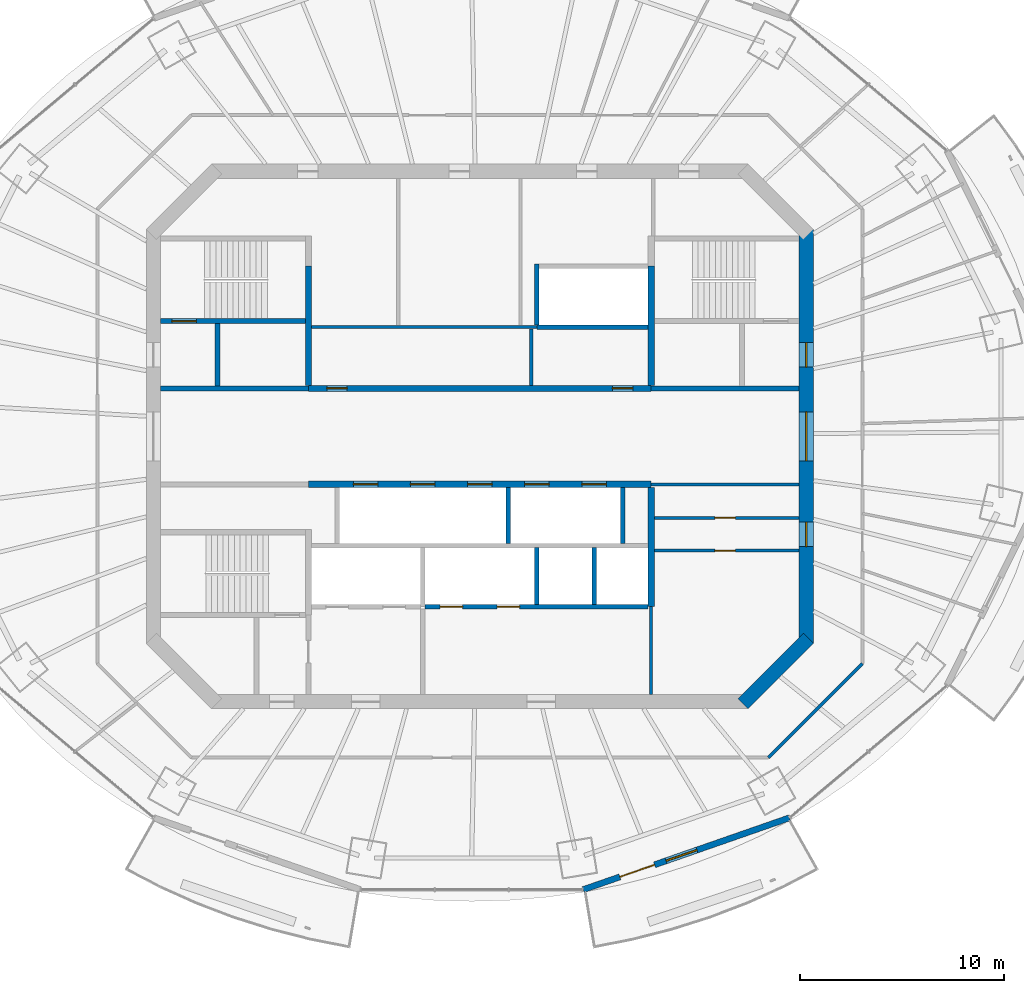
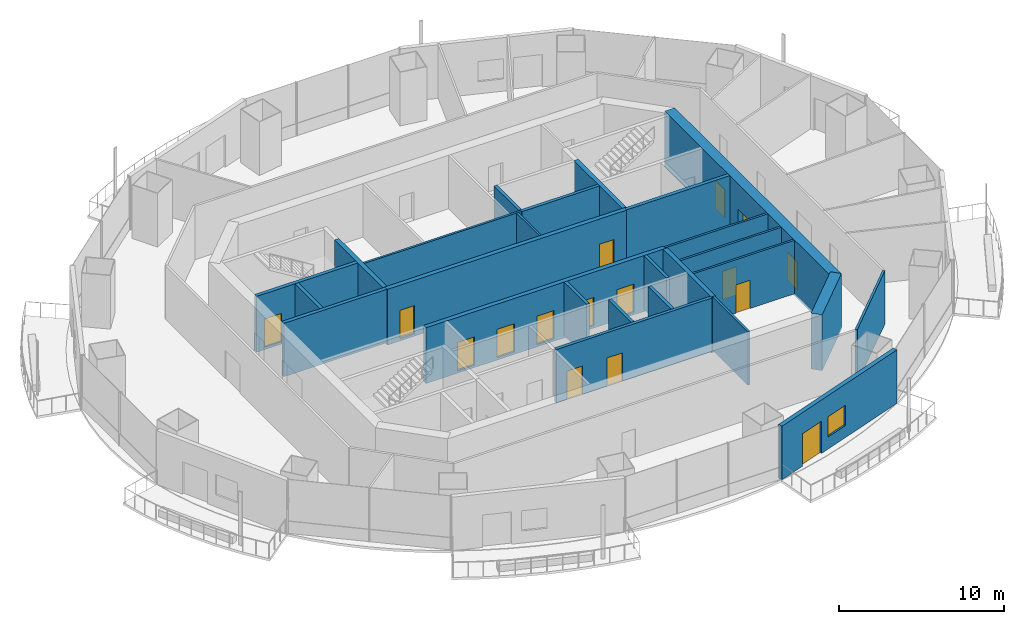
# One storey, part 9 of 16: 26 walls, 16 doors, 1 window, 17 openings.
"""IFC4 building model written with IfcOpenShell, lengths in metres."""

from ifc_helpers import new_model, si_unit, direction, frame, frame_2d, origin, place, context, subcontext, project, spatial, rectangle, extrude, material, layer, layer_set, type_object, element, fill, save


model = new_model("IFC4")

# Units and contexts
model_context = context("Model", 3, precision=1e-05, world=origin(), true_north=direction((0.0, 1.0)))
body_context = subcontext(model_context, "Body", "Model", "MODEL_VIEW")
ifc_project = project(units=[si_unit("LENGTHUNIT", "METRE"), si_unit("AREAUNIT", "SQUARE_METRE"), si_unit("VOLUMEUNIT", "CUBIC_METRE"), si_unit("PLANEANGLEUNIT", "RADIAN"), si_unit("MASSUNIT", "GRAM", prefix="KILO")], contexts=[model_context])

# Site, building, storey
site_placement = place(None, origin())
site = spatial("IfcSite", under=ifc_project, at=site_placement, CompositionType="ELEMENT")
building_placement = place(site_placement, origin())
building = spatial("IfcBuilding", under=site, at=building_placement, Name="Marenthal Gate Tower", CompositionType="ELEMENT")
storey_placement = place(building_placement, frame((0.0, 0.0, 317.699951171875)))
storey = spatial("IfcBuildingStorey", under=building, at=storey_placement, Name="L71", CompositionType="ELEMENT", Elevation=317.699951171875)

# Wall
ifc_material_1 = material(Name="Concrete 60 MPa", Category="concrete")
ifc_layer_1 = layer(ifc_material_1, 0.699951171875)
ifc_layer_set_1 = layer_set([ifc_layer_1], Name="Core shear wall 700")
wall_type_1 = type_object("IfcWallType", Name="Core shear wall 700", PredefinedType="SHEAR", material=ifc_layer_set_1)
wall_1_placement = place(storey_placement, frame((12.8974609375, -13.1025390625, -0.179931640625), z_axis=(0.0, 0.0, 1.0), x_axis=(0.707106781187, 0.707106781187, 0.0)))
element("IfcWall", 1, at=wall_1_placement, inside=storey, type_object=wall_type_1, Name="Core wall 01", PredefinedType="SHEAR", context=body_context, shape_type="SweptSolid", body=[
    extrude(rectangle(XDim=4.53271484375, YDim=0.699951171875, at=frame_2d((2.266357421875, 0.0))), origin(), (0.0, 0.0, 1.0), 4.14990234375),
])

# Wall, openings, doors
wall_2_placement = place(storey_placement, frame((16.0, -10.14501953125, -0.179931640625), z_axis=(0.0, 0.0, 1.0), x_axis=(0.0, 1.0, 0.0)))
wall_2 = element("IfcWall", 2, at=wall_2_placement, inside=storey, type_object=wall_type_1, Name="Core wall 02", PredefinedType="SHEAR", context=body_context, shape_type="SweptSolid", body=[
    extrude(rectangle(XDim=20.2900390625, YDim=0.699951171875, at=frame_2d((10.14501953125, 0.0))), origin(), (0.0, 0.0, 1.0), 4.14990234375),
])
opening_1_placement = place(wall_2_placement, frame((8.945068359375, 0.0, 0.179931640625)))
opening_1 = element("IfcOpeningElement", 3, at=opening_1_placement, cuts=wall_2, Name="Opening D003.02", PredefinedType="OPENING", context=body_context, shape_type="SweptSolid", body=[
    extrude(rectangle(XDim=2.39990234375, YDim=2.10009765625, at=frame_2d((1.199951171875, 1.050048828125))), frame((0.0, 0.35986328125, 0.0), z_axis=(0.0, -1.0, 0.0), x_axis=(1.0, 0.0, 0.0)), (0.0, 0.0, 1.0), 0.719970703125),
])
opening_2_placement = place(wall_2_placement, frame((13.544921875, 0.0, 0.179931640625)))
opening_2 = element("IfcOpeningElement", 4, at=opening_2_placement, cuts=wall_2, Name="Opening D001.05", PredefinedType="OPENING", context=body_context, shape_type="SweptSolid", body=[
    extrude(rectangle(XDim=1.199951171875, YDim=2.10009765625, at=frame_2d((0.60009765625, 1.050048828125))), frame((0.0, 0.35986328125, 0.0), z_axis=(0.0, -1.0, 0.0), x_axis=(1.0, 0.0, 0.0)), (0.0, 0.0, 1.0), 0.719970703125),
])
opening_3_placement = place(wall_2_placement, frame((4.7451171875, 0.0, 0.179931640625)))
opening_3 = element("IfcOpeningElement", 5, at=opening_3_placement, cuts=wall_2, Name="Opening D006.01", PredefinedType="OPENING", context=body_context, shape_type="SweptSolid", body=[
    extrude(rectangle(XDim=1.199951171875, YDim=2.10009765625, at=frame_2d((0.60009765625, 1.050048828125))), frame((0.0, 0.35986328125, 0.0), z_axis=(0.0, -1.0, 0.0), x_axis=(1.0, 0.0, 0.0)), (0.0, 0.0, 1.0), 0.719970703125),
])
ifc_material_2 = material(Name="Steel fire door", Category="steel")
door_type_1 = type_object("IfcDoorType", Name="Double fire door FD 45 2400 x 2100", OperationType="DOUBLE_DOOR_SINGLE_SWING", PredefinedType="DOOR", material=ifc_material_2)
door_1_placement = place(opening_1_placement, origin())
door_1 = element("IfcDoor", 6, at=door_1_placement, inside=storey, type_object=door_type_1, Name="Door D003.02", OperationType="DOUBLE_DOOR_SINGLE_SWING", OverallHeight=2.10009765625, OverallWidth=2.39990234375, PredefinedType="DOOR", context=body_context, shape_type="SweptSolid", body=[
    extrude(rectangle(XDim=2.39990234375, YDim=2.10009765625, at=frame_2d((1.199951171875, 1.050048828125))), frame((0.0, 0.02490234375, 0.0), z_axis=(0.0, -1.0, 0.0), x_axis=(1.0, 0.0, 0.0)), (0.0, 0.0, 1.0), 0.050048828125),
])
fill(opening_1, door_1)
ifc_material_3 = material(Name="Steel fire door", Category="steel")
door_type_2 = type_object("IfcDoorType", Name="Fire door FD 45 1200 x 2100", OperationType="NOTDEFINED", PredefinedType="DOOR", material=ifc_material_3)
door_2_placement = place(opening_3_placement, origin())
door_2 = element("IfcDoor", 7, at=door_2_placement, inside=storey, type_object=door_type_2, Name="Door D006.01", OperationType="SINGLE_SWING_RIGHT", OverallHeight=2.10009765625, OverallWidth=1.199951171875, PredefinedType="DOOR", context=body_context, shape_type="SweptSolid", body=[
    extrude(rectangle(XDim=1.199951171875, YDim=2.10009765625, at=frame_2d((0.60009765625, 1.050048828125))), frame((0.0, 0.02490234375, 0.0), z_axis=(0.0, -1.0, 0.0), x_axis=(1.0, 0.0, 0.0)), (0.0, 0.0, 1.0), 0.050048828125),
])
fill(opening_3, door_2)
ifc_material_4 = material(Name="Steel fire door", Category="steel")
door_type_3 = type_object("IfcDoorType", Name="Fire door FD 90 1200 x 2100", OperationType="NOTDEFINED", PredefinedType="DOOR", material=ifc_material_4)
door_3_placement = place(opening_2_placement, origin())
door_3 = element("IfcDoor", 8, at=door_3_placement, inside=storey, type_object=door_type_3, Name="Door D001.05", OperationType="SINGLE_SWING_RIGHT", OverallHeight=2.10009765625, OverallWidth=1.199951171875, PredefinedType="DOOR", context=body_context, shape_type="SweptSolid", body=[
    extrude(rectangle(XDim=1.199951171875, YDim=2.10009765625, at=frame_2d((0.60009765625, 1.050048828125))), frame((0.0, 0.02490234375, 0.0), z_axis=(0.0, -1.0, 0.0), x_axis=(1.0, 0.0, 0.0)), (0.0, 0.0, 1.0), 0.050048828125),
])
fill(opening_2, door_3)

ifc_material_5 = material(Name="Concrete 50 MPa", Category="concrete")
ifc_layer_2 = layer(ifc_material_5, 0.300048828125)
ifc_layer_set_2 = layer_set([ifc_layer_2], Name="Hoistway shear wall 300")
wall_type_2 = type_object("IfcWallType", Name="Hoistway shear wall 300", PredefinedType="SHEAR", material=ifc_layer_set_2)
wall_3_placement = place(storey_placement, frame((-8.39990234375, -2.35009765625, -0.179931640625), z_axis=(0.0, 0.0, 1.0), x_axis=(1.0, 0.0, 0.0)))
wall_3 = element("IfcWall", 9, at=wall_3_placement, inside=storey, type_object=wall_type_2, Name="Hoistway wall 17", PredefinedType="SHEAR", context=body_context, shape_type="SweptSolid", body=[
    extrude(rectangle(XDim=16.7998046875, YDim=0.300048828125, at=frame_2d((8.39990234375, 0.0))), origin(), (0.0, 0.0, 1.0), 4.14990234375),
])
opening_4_placement = place(wall_3_placement, frame((2.199951171875, 0.0, 0.179931640625)))
opening_4 = element("IfcOpeningElement", 10, at=opening_4_placement, cuts=wall_3, Name="Opening LD-HP1", PredefinedType="OPENING", context=body_context, shape_type="SweptSolid", body=[
    extrude(rectangle(XDim=1.199951171875, YDim=2.10009765625, at=frame_2d((0.60009765625, 1.050048828125))), frame((0.0, 0.16015625, 0.0), z_axis=(0.0, -1.0, 0.0), x_axis=(1.0, 0.0, 0.0)), (0.0, 0.0, 1.0), 0.320068359375),
])
opening_5_placement = place(wall_3_placement, frame((5.0, 0.0, 0.179931640625)))
opening_5 = element("IfcOpeningElement", 11, at=opening_5_placement, cuts=wall_3, Name="Opening LD-HP2", PredefinedType="OPENING", context=body_context, shape_type="SweptSolid", body=[
    extrude(rectangle(XDim=1.199951171875, YDim=2.10009765625, at=frame_2d((0.60009765625, 1.050048828125))), frame((0.0, 0.16015625, 0.0), z_axis=(0.0, -1.0, 0.0), x_axis=(1.0, 0.0, 0.0)), (0.0, 0.0, 1.0), 0.320068359375),
])
opening_6_placement = place(wall_3_placement, frame((7.800048828125, 0.0, 0.179931640625)))
opening_6 = element("IfcOpeningElement", 12, at=opening_6_placement, cuts=wall_3, Name="Opening LD-HP3", PredefinedType="OPENING", context=body_context, shape_type="SweptSolid", body=[
    extrude(rectangle(XDim=1.199951171875, YDim=2.10009765625, at=frame_2d((0.60009765625, 1.050048828125))), frame((0.0, 0.16015625, 0.0), z_axis=(0.0, -1.0, 0.0), x_axis=(1.0, 0.0, 0.0)), (0.0, 0.0, 1.0), 0.320068359375),
])
opening_7_placement = place(wall_3_placement, frame((10.60009765625, 0.0, 0.179931640625)))
opening_7 = element("IfcOpeningElement", 13, at=opening_7_placement, cuts=wall_3, Name="Opening LD-HP4", PredefinedType="OPENING", context=body_context, shape_type="SweptSolid", body=[
    extrude(rectangle(XDim=1.199951171875, YDim=2.10009765625, at=frame_2d((0.60009765625, 1.050048828125))), frame((0.0, 0.16015625, 0.0), z_axis=(0.0, -1.0, 0.0), x_axis=(1.0, 0.0, 0.0)), (0.0, 0.0, 1.0), 0.320068359375),
])
opening_8_placement = place(wall_3_placement, frame((13.39990234375, 0.0, 0.179931640625)))
opening_8 = element("IfcOpeningElement", 14, at=opening_8_placement, cuts=wall_3, Name="Opening LD-HP5", PredefinedType="OPENING", context=body_context, shape_type="SweptSolid", body=[
    extrude(rectangle(XDim=1.199951171875, YDim=2.10009765625, at=frame_2d((0.60009765625, 1.050048828125))), frame((0.0, 0.16015625, 0.0), z_axis=(0.0, -1.0, 0.0), x_axis=(1.0, 0.0, 0.0)), (0.0, 0.0, 1.0), 0.320068359375),
])
ifc_material_6 = material(Name="Stainless steel sliding door", Category="steel")
door_type_4 = type_object("IfcDoorType", Name="Lift landing door FD 90 1200 x 2100", OperationType="DOUBLE_DOOR_SLIDING", PredefinedType="DOOR", material=ifc_material_6)
door_4_placement = place(opening_4_placement, origin())
door_4 = element("IfcDoor", 15, at=door_4_placement, inside=storey, type_object=door_type_4, Name="Lift landing door HP1", OperationType="DOUBLE_DOOR_SLIDING", OverallHeight=2.10009765625, OverallWidth=1.199951171875, PredefinedType="DOOR", context=body_context, shape_type="SweptSolid", body=[
    extrude(rectangle(XDim=1.199951171875, YDim=2.10009765625, at=frame_2d((0.60009765625, 1.050048828125))), frame((0.0, 0.02490234375, 0.0), z_axis=(0.0, -1.0, 0.0), x_axis=(1.0, 0.0, 0.0)), (0.0, 0.0, 1.0), 0.050048828125),
])
fill(opening_4, door_4)
door_5_placement = place(opening_5_placement, origin())
door_5 = element("IfcDoor", 16, at=door_5_placement, inside=storey, type_object=door_type_4, Name="Lift landing door HP2", OperationType="DOUBLE_DOOR_SLIDING", OverallHeight=2.10009765625, OverallWidth=1.199951171875, PredefinedType="DOOR", context=body_context, shape_type="SweptSolid", body=[
    extrude(rectangle(XDim=1.199951171875, YDim=2.10009765625, at=frame_2d((0.60009765625, 1.050048828125))), frame((0.0, 0.02490234375, 0.0), z_axis=(0.0, -1.0, 0.0), x_axis=(1.0, 0.0, 0.0)), (0.0, 0.0, 1.0), 0.050048828125),
])
fill(opening_5, door_5)
door_6_placement = place(opening_6_placement, origin())
door_6 = element("IfcDoor", 17, at=door_6_placement, inside=storey, type_object=door_type_4, Name="Lift landing door HP3", OperationType="DOUBLE_DOOR_SLIDING", OverallHeight=2.10009765625, OverallWidth=1.199951171875, PredefinedType="DOOR", context=body_context, shape_type="SweptSolid", body=[
    extrude(rectangle(XDim=1.199951171875, YDim=2.10009765625, at=frame_2d((0.60009765625, 1.050048828125))), frame((0.0, 0.02490234375, 0.0), z_axis=(0.0, -1.0, 0.0), x_axis=(1.0, 0.0, 0.0)), (0.0, 0.0, 1.0), 0.050048828125),
])
fill(opening_6, door_6)
door_7_placement = place(opening_7_placement, origin())
door_7 = element("IfcDoor", 18, at=door_7_placement, inside=storey, type_object=door_type_4, Name="Lift landing door HP4", OperationType="DOUBLE_DOOR_SLIDING", OverallHeight=2.10009765625, OverallWidth=1.199951171875, PredefinedType="DOOR", context=body_context, shape_type="SweptSolid", body=[
    extrude(rectangle(XDim=1.199951171875, YDim=2.10009765625, at=frame_2d((0.60009765625, 1.050048828125))), frame((0.0, 0.02490234375, 0.0), z_axis=(0.0, -1.0, 0.0), x_axis=(1.0, 0.0, 0.0)), (0.0, 0.0, 1.0), 0.050048828125),
])
fill(opening_7, door_7)
door_8_placement = place(opening_8_placement, origin())
door_8 = element("IfcDoor", 19, at=door_8_placement, inside=storey, type_object=door_type_4, Name="Lift landing door HP5", OperationType="DOUBLE_DOOR_SLIDING", OverallHeight=2.10009765625, OverallWidth=1.199951171875, PredefinedType="DOOR", context=body_context, shape_type="SweptSolid", body=[
    extrude(rectangle(XDim=1.199951171875, YDim=2.10009765625, at=frame_2d((0.60009765625, 1.050048828125))), frame((0.0, 0.02490234375, 0.0), z_axis=(0.0, -1.0, 0.0), x_axis=(1.0, 0.0, 0.0)), (0.0, 0.0, 1.0), 0.050048828125),
])
fill(opening_8, door_8)

wall_4_placement = place(storey_placement, frame((-8.39990234375, 2.35009765625, -0.179931640625), z_axis=(0.0, 0.0, 1.0), x_axis=(1.0, 0.0, 0.0)))
wall_4 = element("IfcWall", 20, at=wall_4_placement, inside=storey, type_object=wall_type_2, Name="Hoistway wall 20", PredefinedType="SHEAR", context=body_context, shape_type="SweptSolid", body=[
    extrude(rectangle(XDim=16.7998046875, YDim=0.300048828125, at=frame_2d((8.39990234375, 0.0))), origin(), (0.0, 0.0, 1.0), 4.14990234375),
])
opening_9_placement = place(wall_4_placement, frame((0.89990234375, 0.0, 0.179931640625)))
opening_9 = element("IfcOpeningElement", 21, at=opening_9_placement, cuts=wall_4, Name="Opening D005.01", PredefinedType="OPENING", context=body_context, shape_type="SweptSolid", body=[
    extrude(rectangle(XDim=1.0, YDim=2.10009765625, at=frame_2d((0.5, 1.050048828125))), frame((0.0, 0.16015625, 0.0), z_axis=(0.0, -1.0, 0.0), x_axis=(1.0, 0.0, 0.0)), (0.0, 0.0, 1.0), 0.320068359375),
])
opening_10_placement = place(wall_4_placement, frame((14.89990234375, 0.0, 0.179931640625)))
opening_10 = element("IfcOpeningElement", 22, at=opening_10_placement, cuts=wall_4, Name="Opening D005.02", PredefinedType="OPENING", context=body_context, shape_type="SweptSolid", body=[
    extrude(rectangle(XDim=1.0, YDim=2.10009765625, at=frame_2d((0.5, 1.050048828125))), frame((0.0, 0.16015625, 0.0), z_axis=(0.0, -1.0, 0.0), x_axis=(1.0, 0.0, 0.0)), (0.0, 0.0, 1.0), 0.320068359375),
])
ifc_material_7 = material(Name="Steel fire door", Category="steel")
door_type_5 = type_object("IfcDoorType", Name="Fire door FD 45 1000 x 2100", OperationType="NOTDEFINED", PredefinedType="DOOR", material=ifc_material_7)
door_9_placement = place(opening_9_placement, origin())
door_9 = element("IfcDoor", 23, at=door_9_placement, inside=storey, type_object=door_type_5, Name="Door D005.01", OperationType="SINGLE_SWING_RIGHT", OverallHeight=2.10009765625, OverallWidth=1.0, PredefinedType="DOOR", context=body_context, shape_type="SweptSolid", body=[
    extrude(rectangle(XDim=1.0, YDim=2.10009765625, at=frame_2d((0.5, 1.050048828125))), frame((0.0, 0.02490234375, 0.0), z_axis=(0.0, -1.0, 0.0), x_axis=(1.0, 0.0, 0.0)), (0.0, 0.0, 1.0), 0.050048828125),
])
fill(opening_9, door_9)
door_10_placement = place(opening_10_placement, origin())
door_10 = element("IfcDoor", 24, at=door_10_placement, inside=storey, type_object=door_type_5, Name="Door D005.02", OperationType="SINGLE_SWING_RIGHT", OverallHeight=2.10009765625, OverallWidth=1.0, PredefinedType="DOOR", context=body_context, shape_type="SweptSolid", body=[
    extrude(rectangle(XDim=1.0, YDim=2.10009765625, at=frame_2d((0.5, 1.050048828125))), frame((0.0, 0.02490234375, 0.0), z_axis=(0.0, -1.0, 0.0), x_axis=(1.0, 0.0, 0.0)), (0.0, 0.0, 1.0), 0.050048828125),
])
fill(opening_10, door_10)

# Walls
for number, where, z_axis, x_axis, name in (
    (25, (-8.39990234375, 2.5, -0.179931640625), (0.0, 0.0, 1.0), (0.0, 1.0, 0.0), "Hoistway wall 33"),
    (26, (8.39990234375, -8.35009765625, -0.179931640625), (0.0, 0.0, 1.0), (0.0, 1.0, 0.0), "Hoistway wall 47"),
    (27, (8.39990234375, 2.5, -0.179931640625), (0.0, 0.0, 1.0), (0.0, 1.0, 0.0), "Hoistway wall 48"),
):
    element("IfcWall", number, at=place(storey_placement, frame(where, z_axis=z_axis, x_axis=x_axis)), inside=storey, type_object=wall_type_2, Name=name, PredefinedType="SHEAR", context=body_context, shape_type="SweptSolid", body=[
        extrude(rectangle(XDim=5.85009765625, YDim=0.300048828125, at=frame_2d((2.925048828125, 0.0))), origin(), (0.0, 0.0, 1.0), 4.14990234375),
    ])

# Wall, openings, doors
ifc_material_8 = material(Name="Concrete 40 MPa", Category="concrete")
ifc_layer_3 = layer(ifc_material_8, 0.219970703125)
ifc_layer_set_3 = layer_set([ifc_layer_3], Name="Hoistway wall 220")
wall_type_3 = type_object("IfcWallType", Name="Hoistway wall 220", PredefinedType="STANDARD", material=ifc_layer_set_3)
wall_5_placement = place(storey_placement, frame((-2.68994140625, -8.35009765625, 0.0), z_axis=(0.0, 0.0, 1.0), x_axis=(1.0, 0.0, 0.0)))
wall_5 = element("IfcWall", 28, at=wall_5_placement, inside=storey, type_object=wall_type_3, Name="Hoistway wall 11", PredefinedType="STANDARD", context=body_context, shape_type="SweptSolid", body=[
    extrude(rectangle(XDim=10.93994140625, YDim=0.219970703125, at=frame_2d((5.469970703125, 0.0))), origin(), (0.0, 0.0, 1.0), 3.969970703125),
])
opening_11_placement = place(wall_5_placement, frame((0.739990234375, 0.0, 0.0)))
opening_11 = element("IfcOpeningElement", 29, at=opening_11_placement, cuts=wall_5, Name="Opening LD-SV1", PredefinedType="OPENING", context=body_context, shape_type="SweptSolid", body=[
    extrude(rectangle(XDim=1.10009765625, YDim=2.10009765625, at=frame_2d((0.550048828125, 1.050048828125))), frame((0.0, 0.1201171875, 0.0), z_axis=(0.0, -1.0, 0.0), x_axis=(1.0, 0.0, 0.0)), (0.0, 0.0, 1.0), 0.239990234375),
])
opening_12_placement = place(wall_5_placement, frame((3.5400390625, 0.0, 0.0)))
opening_12 = element("IfcOpeningElement", 30, at=opening_12_placement, cuts=wall_5, Name="Opening LD-SV2", PredefinedType="OPENING", context=body_context, shape_type="SweptSolid", body=[
    extrude(rectangle(XDim=1.10009765625, YDim=2.10009765625, at=frame_2d((0.550048828125, 1.050048828125))), frame((0.0, 0.1201171875, 0.0), z_axis=(0.0, -1.0, 0.0), x_axis=(1.0, 0.0, 0.0)), (0.0, 0.0, 1.0), 0.239990234375),
])
ifc_material_9 = material(Name="Stainless steel sliding door", Category="steel")
door_type_6 = type_object("IfcDoorType", Name="Lift landing door FD 90 1100 x 2100", OperationType="DOUBLE_DOOR_SLIDING", PredefinedType="DOOR", material=ifc_material_9)
door_11_placement = place(opening_11_placement, origin())
door_11 = element("IfcDoor", 31, at=door_11_placement, inside=storey, type_object=door_type_6, Name="Lift landing door SV1", OperationType="DOUBLE_DOOR_SLIDING", OverallHeight=2.10009765625, OverallWidth=1.10009765625, PredefinedType="DOOR", context=body_context, shape_type="SweptSolid", body=[
    extrude(rectangle(XDim=1.10009765625, YDim=2.10009765625, at=frame_2d((0.550048828125, 1.050048828125))), frame((0.0, 0.02490234375, 0.0), z_axis=(0.0, -1.0, 0.0), x_axis=(1.0, 0.0, 0.0)), (0.0, 0.0, 1.0), 0.050048828125),
])
fill(opening_11, door_11)
door_12_placement = place(opening_12_placement, origin())
door_12 = element("IfcDoor", 32, at=door_12_placement, inside=storey, type_object=door_type_6, Name="Lift landing door SV2", OperationType="DOUBLE_DOOR_SLIDING", OverallHeight=2.10009765625, OverallWidth=1.10009765625, PredefinedType="DOOR", context=body_context, shape_type="SweptSolid", body=[
    extrude(rectangle(XDim=1.10009765625, YDim=2.10009765625, at=frame_2d((0.550048828125, 1.050048828125))), frame((0.0, 0.02490234375, 0.0), z_axis=(0.0, -1.0, 0.0), x_axis=(1.0, 0.0, 0.0)), (0.0, 0.0, 1.0), 0.050048828125),
])
fill(opening_12, door_12)

# Walls
wall_6_placement = place(storey_placement, frame((2.800048828125, 5.35009765625, 0.0), z_axis=(0.0, 0.0, 1.0), x_axis=(1.0, 0.0, 0.0)))
element("IfcWall", 33, at=wall_6_placement, inside=storey, type_object=wall_type_3, Name="Hoistway wall 23", PredefinedType="STANDARD", context=body_context, shape_type="SweptSolid", body=[
    extrude(rectangle(XDim=5.449951171875, YDim=0.219970703125, at=frame_2d((2.72509765625, 0.0))), origin(), (0.0, 0.0, 1.0), 3.969970703125),
])
wall_7_placement = place(storey_placement, frame((1.39990234375, -5.239990234375, 0.0), z_axis=(0.0, 0.0, 1.0), x_axis=(0.0, 1.0, 0.0)))
element("IfcWall", 34, at=wall_7_placement, inside=storey, type_object=wall_type_3, Name="Hoistway wall 39", PredefinedType="STANDARD", context=body_context, shape_type="SweptSolid", body=[
    extrude(rectangle(XDim=2.739990234375, YDim=0.219970703125, at=frame_2d((1.3701171875, 0.0))), origin(), (0.0, 0.0, 1.0), 3.969970703125),
])
wall_8_placement = place(storey_placement, frame((2.800048828125, -8.239990234375, 0.0), z_axis=(0.0, 0.0, 1.0), x_axis=(0.0, 1.0, 0.0)))
element("IfcWall", 35, at=wall_8_placement, inside=storey, type_object=wall_type_3, Name="Hoistway wall 42", PredefinedType="STANDARD", context=body_context, shape_type="SweptSolid", body=[
    extrude(rectangle(XDim=2.780029296875, YDim=0.219970703125, at=frame_2d((1.39013671875, 0.0))), origin(), (0.0, 0.0, 1.0), 3.969970703125),
])
wall_9_placement = place(storey_placement, frame((2.800048828125, 5.4599609375, 0.0), z_axis=(0.0, 0.0, 1.0), x_axis=(0.0, 1.0, 0.0)))
element("IfcWall", 36, at=wall_9_placement, inside=storey, type_object=wall_type_3, Name="Hoistway wall 43", PredefinedType="STANDARD", context=body_context, shape_type="SweptSolid", body=[
    extrude(rectangle(XDim=3.0, YDim=0.219970703125, at=frame_2d((1.5, 0.0))), origin(), (0.0, 0.0, 1.0), 3.969970703125),
])
wall_10_placement = place(storey_placement, frame((5.60009765625, -8.239990234375, 0.0), z_axis=(0.0, 0.0, 1.0), x_axis=(0.0, 1.0, 0.0)))
element("IfcWall", 37, at=wall_10_placement, inside=storey, type_object=wall_type_3, Name="Hoistway wall 44", PredefinedType="STANDARD", context=body_context, shape_type="SweptSolid", body=[
    extrude(rectangle(XDim=2.780029296875, YDim=0.219970703125, at=frame_2d((1.39013671875, 0.0))), origin(), (0.0, 0.0, 1.0), 3.969970703125),
])
wall_11_placement = place(storey_placement, frame((7.0, -5.239990234375, 0.0), z_axis=(0.0, 0.0, 1.0), x_axis=(0.0, 1.0, 0.0)))
element("IfcWall", 38, at=wall_11_placement, inside=storey, type_object=wall_type_3, Name="Hoistway wall 45", PredefinedType="STANDARD", context=body_context, shape_type="SweptSolid", body=[
    extrude(rectangle(XDim=2.739990234375, YDim=0.219970703125, at=frame_2d((1.3701171875, 0.0))), origin(), (0.0, 0.0, 1.0), 3.969970703125),
])

# Wall, opening, door
ifc_material_10 = material(Name="Gypsum board on steel studs", Category="steel")
ifc_layer_4 = layer(ifc_material_10, 0.14990234375)
ifc_layer_set_4 = layer_set([ifc_layer_4], Name="Partition 150")
wall_type_4 = type_object("IfcWallType", Name="Partition 150", PredefinedType="PARTITIONING", material=ifc_layer_set_4)
wall_12_placement = place(storey_placement, frame((8.550048828125, -5.60009765625, 0.0), z_axis=(0.0, 0.0, 1.0), x_axis=(1.0, 0.0, 0.0)))
wall_12 = element("IfcWall", 39, at=wall_12_placement, inside=storey, type_object=wall_type_4, Name="Partition wall 12", PredefinedType="PARTITIONING", context=body_context, shape_type="SweptSolid", body=[
    extrude(rectangle(XDim=7.099853515625, YDim=0.14990234375, at=frame_2d((3.5498046875, 0.0))), origin(), (0.0, 0.0, 1.0), 3.969970703125),
])
opening_13_placement = place(wall_12_placement, frame((2.97509765625, 0.0, 0.0)))
opening_13 = element("IfcOpeningElement", 40, at=opening_13_placement, cuts=wall_12, Name="Opening D005.08", PredefinedType="OPENING", context=body_context, shape_type="SweptSolid", body=[
    extrude(rectangle(XDim=1.0, YDim=2.10009765625, at=frame_2d((0.5, 1.050048828125))), frame((0.0, 0.0849609375, 0.0), z_axis=(0.0, -1.0, 0.0), x_axis=(1.0, 0.0, 0.0)), (0.0, 0.0, 1.0), 0.169921875),
])
door_13_placement = place(opening_13_placement, frame((1.0, 0.0, 0.0), z_axis=(0.0, 0.0, 1.0), x_axis=(-1.0, 0.0, 0.0)))
door_13 = element("IfcDoor", 41, at=door_13_placement, inside=storey, type_object=door_type_5, Name="Door D005.08", OperationType="SINGLE_SWING_LEFT", OverallHeight=2.10009765625, OverallWidth=1.0, PredefinedType="DOOR", context=body_context, shape_type="SweptSolid", body=[
    extrude(rectangle(XDim=1.0, YDim=2.10009765625, at=frame_2d((0.5, 1.050048828125))), frame((0.0, 0.02490234375, 0.0), z_axis=(0.0, -1.0, 0.0), x_axis=(1.0, 0.0, 0.0)), (0.0, 0.0, 1.0), 0.050048828125),
])
fill(opening_13, door_13)

wall_13_placement = place(storey_placement, frame((8.550048828125, -4.0, 0.0), z_axis=(0.0, 0.0, 1.0), x_axis=(1.0, 0.0, 0.0)))
wall_13 = element("IfcWall", 42, at=wall_13_placement, inside=storey, type_object=wall_type_4, Name="Partition wall 15", PredefinedType="PARTITIONING", context=body_context, shape_type="SweptSolid", body=[
    extrude(rectangle(XDim=7.099853515625, YDim=0.14990234375, at=frame_2d((3.5498046875, 0.0))), origin(), (0.0, 0.0, 1.0), 3.969970703125),
])
opening_14_placement = place(wall_13_placement, frame((2.97509765625, 0.0, 0.0)))
opening_14 = element("IfcOpeningElement", 43, at=opening_14_placement, cuts=wall_13, Name="Opening D005.07", PredefinedType="OPENING", context=body_context, shape_type="SweptSolid", body=[
    extrude(rectangle(XDim=1.0, YDim=2.10009765625, at=frame_2d((0.5, 1.050048828125))), frame((0.0, 0.0849609375, 0.0), z_axis=(0.0, -1.0, 0.0), x_axis=(1.0, 0.0, 0.0)), (0.0, 0.0, 1.0), 0.169921875),
])
door_14_placement = place(opening_14_placement, origin())
door_14 = element("IfcDoor", 44, at=door_14_placement, inside=storey, type_object=door_type_5, Name="Door D005.07", OperationType="SINGLE_SWING_RIGHT", OverallHeight=2.10009765625, OverallWidth=1.0, PredefinedType="DOOR", context=body_context, shape_type="SweptSolid", body=[
    extrude(rectangle(XDim=1.0, YDim=2.10009765625, at=frame_2d((0.5, 1.050048828125))), frame((0.0, 0.02490234375, 0.0), z_axis=(0.0, -1.0, 0.0), x_axis=(1.0, 0.0, 0.0)), (0.0, 0.0, 1.0), 0.050048828125),
])
fill(opening_14, door_14)

# Walls
wall_14_placement = place(storey_placement, frame((8.39990234375, -2.35009765625, 0.0), z_axis=(0.0, 0.0, 1.0), x_axis=(1.0, 0.0, 0.0)))
element("IfcWall", 45, at=wall_14_placement, inside=storey, type_object=wall_type_4, Name="Partition wall 18", PredefinedType="PARTITIONING", context=body_context, shape_type="SweptSolid", body=[
    extrude(rectangle(XDim=7.25, YDim=0.14990234375, at=frame_2d((3.625, 0.0))), origin(), (0.0, 0.0, 1.0), 3.969970703125),
])
wall_15_placement = place(storey_placement, frame((-8.25, 5.35009765625, 0.0), z_axis=(0.0, 0.0, 1.0), x_axis=(1.0, 0.0, 0.0)))
element("IfcWall", 46, at=wall_15_placement, inside=storey, type_object=wall_type_4, Name="Partition wall 22", PredefinedType="PARTITIONING", context=body_context, shape_type="SweptSolid", body=[
    extrude(rectangle(XDim=11.050048828125, YDim=0.14990234375, at=frame_2d((5.52490234375, 0.0))), origin(), (0.0, 0.0, 1.0), 3.969970703125),
])
wall_16_placement = place(storey_placement, frame((2.52001953125, 2.5, 0.0), z_axis=(0.0, 0.0, 1.0), x_axis=(0.0, 1.0, 0.0)))
element("IfcWall", 47, at=wall_16_placement, inside=storey, type_object=wall_type_4, Name="Partition wall 41", PredefinedType="PARTITIONING", context=body_context, shape_type="SweptSolid", body=[
    extrude(rectangle(XDim=2.77490234375, YDim=0.14990234375, at=frame_2d((1.387451171875, 0.0))), origin(), (0.0, 0.0, 1.0), 3.969970703125),
])
wall_17_placement = place(storey_placement, frame((8.39990234375, -12.64990234375, 0.0), z_axis=(0.0, 0.0, 1.0), x_axis=(0.0, 1.0, 0.0)))
element("IfcWall", 48, at=wall_17_placement, inside=storey, type_object=wall_type_4, Name="Partition wall 46", PredefinedType="PARTITIONING", context=body_context, shape_type="SweptSolid", body=[
    extrude(rectangle(XDim=4.2998046875, YDim=0.14990234375, at=frame_2d((2.14990234375, 0.0))), origin(), (0.0, 0.0, 1.0), 3.969970703125),
])
wall_18_placement = place(storey_placement, frame((18.75, -11.13916015625, 0.0), z_axis=(0.0, 0.0, 1.0), x_axis=(-0.707106781187, -0.707106781187, 0.0)))
element("IfcWall", 49, at=wall_18_placement, inside=storey, type_object=wall_type_4, Name="Partition wall 63", PredefinedType="PARTITIONING", context=body_context, shape_type="SweptSolid", body=[
    extrude(rectangle(XDim=6.520751953125, YDim=0.14990234375, at=frame_2d((3.26025390625, 0.0))), origin(), (0.0, 0.0, 1.0), 3.969970703125),
])
ifc_material_11 = material(Name="Concrete 40 MPa", Category="concrete")
ifc_layer_5 = layer(ifc_material_11, 0.25)
ifc_layer_set_5 = layer_set([ifc_layer_5], Name="Stair enclosure wall 250")
wall_type_5 = type_object("IfcWallType", Name="Stair enclosure wall 250", PredefinedType="STANDARD", material=ifc_layer_set_5)
for number, where, z_axis, x_axis, name in (
    (50, (-15.64990234375, 2.35009765625, 0.0), (0.0, 0.0, 1.0), (1.0, 0.0, 0.0), "Stair wall 19"),
    (51, (8.39990234375, 2.35009765625, 0.0), (0.0, 0.0, 1.0), (1.0, 0.0, 0.0), "Stair wall 21"),
):
    element("IfcWall", number, at=place(storey_placement, frame(where, z_axis=z_axis, x_axis=x_axis)), inside=storey, type_object=wall_type_5, Name=name, PredefinedType="STANDARD", context=body_context, shape_type="SweptSolid", body=[
        extrude(rectangle(XDim=7.25, YDim=0.25, at=frame_2d((3.625, 0.0))), origin(), (0.0, 0.0, 1.0), 3.969970703125),
    ])
wall_19_placement = place(storey_placement, frame((-12.85009765625, 2.47509765625, 0.0), z_axis=(0.0, 0.0, 1.0), x_axis=(0.0, 1.0, 0.0)))
element("IfcWall", 52, at=wall_19_placement, inside=storey, type_object=wall_type_5, Name="Stair wall 29", PredefinedType="STANDARD", context=body_context, shape_type="SweptSolid", body=[
    extrude(rectangle(XDim=3.0498046875, YDim=0.25, at=frame_2d((1.52490234375, 0.0))), origin(), (0.0, 0.0, 1.0), 3.969970703125),
])

# Wall, opening, door
ifc_material_12 = material(Name="Concrete 50 MPa", Category="concrete")
ifc_layer_6 = layer(ifc_material_12, 0.25)
ifc_layer_set_6 = layer_set([ifc_layer_6], Name="Stair shear wall 250")
wall_type_6 = type_object("IfcWallType", Name="Stair shear wall 250", PredefinedType="SHEAR", material=ifc_layer_set_6)
wall_20_placement = place(storey_placement, frame((-15.64990234375, 5.64990234375, -0.179931640625), z_axis=(0.0, 0.0, 1.0), x_axis=(1.0, 0.0, 0.0)))
wall_20 = element("IfcWall", 53, at=wall_20_placement, inside=storey, type_object=wall_type_6, Name="Stair wall 24", PredefinedType="SHEAR", context=body_context, shape_type="SweptSolid", body=[
    extrude(rectangle(XDim=7.099853515625, YDim=0.25, at=frame_2d((3.5498046875, 0.0))), origin(), (0.0, 0.0, 1.0), 4.14990234375),
])
opening_15_placement = place(wall_20_placement, frame((0.550048828125, 0.0, 0.179931640625)))
opening_15 = element("IfcOpeningElement", 54, at=opening_15_placement, cuts=wall_20, Name="Opening D001.01", PredefinedType="OPENING", context=body_context, shape_type="SweptSolid", body=[
    extrude(rectangle(XDim=1.199951171875, YDim=2.10009765625, at=frame_2d((0.60009765625, 1.050048828125))), frame((0.0, 0.135009765625, 0.0), z_axis=(0.0, -1.0, 0.0), x_axis=(1.0, 0.0, 0.0)), (0.0, 0.0, 1.0), 0.27001953125),
])
door_15_placement = place(opening_15_placement, origin())
door_15 = element("IfcDoor", 55, at=door_15_placement, inside=storey, type_object=door_type_3, Name="Door D001.01", OperationType="SINGLE_SWING_RIGHT", OverallHeight=2.10009765625, OverallWidth=1.199951171875, PredefinedType="DOOR", context=body_context, shape_type="SweptSolid", body=[
    extrude(rectangle(XDim=1.199951171875, YDim=2.10009765625, at=frame_2d((0.60009765625, 1.050048828125))), frame((0.0, 0.02490234375, 0.0), z_axis=(0.0, -1.0, 0.0), x_axis=(1.0, 0.0, 0.0)), (0.0, 0.0, 1.0), 0.050048828125),
])
fill(opening_15, door_15)

# Wall, openings, door, window
ifc_material_13 = material(Name="Terracotta cladding on insulated concrete-block backing", Category="masonry")
ifc_layer_7 = layer(ifc_material_13, 0.300048828125)
ifc_layer_set_7 = layer_set([ifc_layer_7], Name="Terracotta facade wall 300")
wall_type_7 = type_object("IfcWallType", Name="Terracotta facade wall 300", PredefinedType="SOLIDWALL", material=ifc_layer_set_7)
wall_21_placement = place(storey_placement, frame((5.069091796875, -22.218994140625, 0.0), z_axis=(0.0, 0.0, 1.0), x_axis=(0.94436622093, 0.328895790132, 0.0)))
wall_21 = element("IfcWall", 56, at=wall_21_placement, inside=storey, type_object=wall_type_7, Name="Terracotta facade wall L71 bay 13", PredefinedType="SOLIDWALL", context=body_context, shape_type="SweptSolid", body=[
    extrude(rectangle(XDim=10.701171875, YDim=0.300048828125, at=frame_2d((5.3505859375, 0.0))), origin(), (0.0, 0.0, 1.0), 3.969970703125),
])
opening_16_placement = place(wall_21_placement, frame((1.89990234375, 0.0, 0.0)))
opening_16 = element("IfcOpeningElement", 57, at=opening_16_placement, cuts=wall_21, Name="Opening BD-L71-13", PredefinedType="OPENING", context=body_context, shape_type="SweptSolid", body=[
    extrude(rectangle(XDim=1.800048828125, YDim=2.39990234375, at=frame_2d((0.89990234375, 1.199951171875))), frame((0.0, 0.16015625, 0.0), z_axis=(0.0, -1.0, 0.0), x_axis=(1.0, 0.0, 0.0)), (0.0, 0.0, 1.0), 0.320068359375),
])
opening_17_placement = place(wall_21_placement, frame((4.300048828125, 0.0, 0.89990234375)))
opening_17 = element("IfcOpeningElement", 58, at=opening_17_placement, cuts=wall_21, Name="Opening WN3-L71-13", PredefinedType="OPENING", context=body_context, shape_type="SweptSolid", body=[
    extrude(rectangle(XDim=1.60009765625, YDim=1.5, at=frame_2d((0.800048828125, 0.75))), frame((0.0, 0.16015625, 0.0), z_axis=(0.0, -1.0, 0.0), x_axis=(1.0, 0.0, 0.0)), (0.0, 0.0, 1.0), 0.320068359375),
])
ifc_material_14 = material(Name="Aluminium and glass", Category="aluminium")
door_type_7 = type_object("IfcDoorType", Name="Balcony door 1800x2400", OperationType="DOUBLE_DOOR_SINGLE_SWING", PredefinedType="DOOR", material=ifc_material_14)
door_16_placement = place(opening_16_placement, origin())
door_16 = element("IfcDoor", 59, at=door_16_placement, inside=storey, type_object=door_type_7, Name="Balcony door L71 bay 13", OperationType="SINGLE_SWING_LEFT", OverallHeight=2.39990234375, OverallWidth=1.800048828125, PredefinedType="DOOR", context=body_context, shape_type="SweptSolid", body=[
    extrude(rectangle(XDim=1.800048828125, YDim=2.39990234375, at=frame_2d((0.89990234375, 1.199951171875))), frame((0.0, 0.02490234375, 0.0), z_axis=(0.0, -1.0, 0.0), x_axis=(1.0, 0.0, 0.0)), (0.0, 0.0, 1.0), 0.050048828125),
])
fill(opening_16, door_16)
ifc_material_15 = material(Name="Aluminium and glass", Category="aluminium")
window_type = type_object("IfcWindowType", Name="Window 1600x1500", PartitioningType="DOUBLE_PANEL_VERTICAL", PredefinedType="WINDOW", material=ifc_material_15)
window_placement = place(opening_17_placement, origin())
window = element("IfcWindow", 60, at=window_placement, inside=storey, type_object=window_type, Name="Window L71 bay 13", OverallHeight=1.5, OverallWidth=1.60009765625, PartitioningType="SINGLE_PANEL", PredefinedType="WINDOW", context=body_context, shape_type="SweptSolid", body=[
    extrude(rectangle(XDim=1.60009765625, YDim=1.5, at=frame_2d((0.800048828125, 0.75))), frame((0.0, 0.030029296875, 0.0), z_axis=(0.0, -1.0, 0.0), x_axis=(1.0, 0.0, 0.0)), (0.0, 0.0, 1.0), 0.06005859375),
])
fill(opening_17, window)

save(model, "model.ifc")
